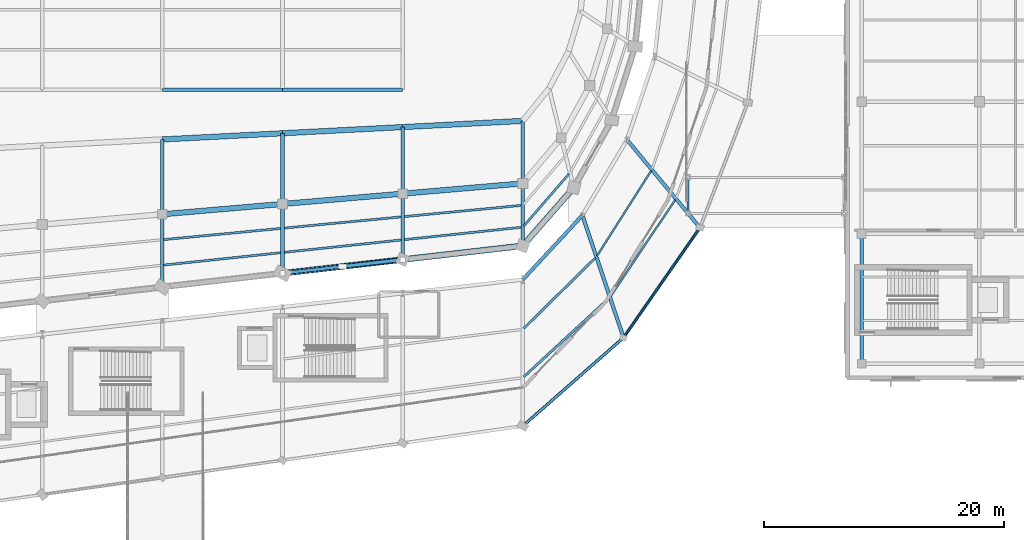
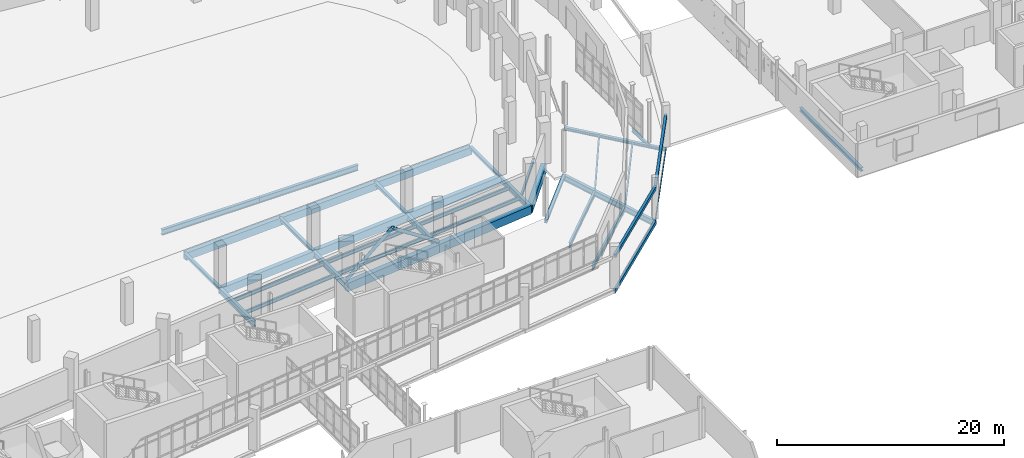
# One storey, part 67 of 122: 39 beams, 2 members.
"""IFC4 building model written with IfcOpenShell, lengths in metres."""

from ifc_helpers import new_model, si_unit, direction, frame, origin, origin_2d, place, context, subcontext, project, spatial, rectangle, hollow_rectangle, hollow_circle, i_section, extrude, material, material_profile, profile_set, type_object, element, save


model = new_model("IFC4")

# Units and contexts
model_context = context("Model", 3, precision=1e-05, world=origin(), true_north=direction((0.0, 1.0)))
body_context = subcontext(model_context, "Body", "Model", "MODEL_VIEW")
ifc_project = project(units=[si_unit("LENGTHUNIT", "METRE"), si_unit("AREAUNIT", "SQUARE_METRE"), si_unit("VOLUMEUNIT", "CUBIC_METRE"), si_unit("PLANEANGLEUNIT", "RADIAN"), si_unit("MASSUNIT", "GRAM", prefix="KILO")], contexts=[model_context])

# Site, building, storey
site_placement = place(None, origin())
site = spatial("IfcSite", under=ifc_project, at=site_placement, CompositionType="ELEMENT")
building_placement = place(site_placement, origin())
building = spatial("IfcBuilding", under=site, at=building_placement, Name="Sohan Crest Arena", CompositionType="ELEMENT")
storey_placement = place(building_placement, origin())
storey = spatial("IfcBuildingStorey", under=building, at=storey_placement, Name="L00", CompositionType="ELEMENT", Elevation=0.0)

# Beams
ifc_material_1 = material(Name="Steel S355", Category="steel")
ifc_material_profile_1 = material_profile(ifc_material_1, i_section(OverallWidth=0.14990234375, OverallDepth=0.300048828125, WebThickness=0.007080078125, FlangeThickness=0.0107421875, at=origin_2d()), Name="IPE 300")
ifc_profile_set_1 = profile_set([ifc_material_profile_1], Name="Steel S355")
beam_type_1 = type_object("IfcBeamType", Name="STR-BM-B01", PredefinedType="JOIST", material=ifc_profile_set_1)
beam_1_placement = place(storey_placement, frame((174.18310546875, 54.175048828125, -0.425048828125), z_axis=(0.536679400997, 0.843786241027, 0.0), x_axis=(-0.843786241027, 0.536679400997, 0.0)))
element("IfcBeam", 1, at=beam_1_placement, inside=storey, type_object=beam_type_1, Name="Structural beam J-L00-1012", PredefinedType="JOIST", context=body_context, shape_type="SweptSolid", body=[
    extrude(i_section(OverallWidth=0.14990234375, OverallDepth=0.300048828125, WebThickness=0.007080078125, FlangeThickness=0.0107421875, at=origin_2d()), origin(), (0.0, 0.0, 1.0), 8.37890625),
])
beam_2_placement = place(storey_placement, frame((175.31494140625, 50.80908203125, -0.425048828125), z_axis=(0.556006645923, 0.831177844802, 0.0), x_axis=(-0.831177844802, 0.556006645923, 0.0)))
element("IfcBeam", 2, at=beam_2_placement, inside=storey, type_object=beam_type_1, Name="Structural beam J-L00-1013", PredefinedType="JOIST", context=body_context, shape_type="SweptSolid", body=[
    extrude(i_section(OverallWidth=0.14990234375, OverallDepth=0.300048828125, WebThickness=0.007080078125, FlangeThickness=0.0107421875, at=origin_2d()), origin(), (0.0, 0.0, 1.0), 9.65478515625),
])
ifc_material_profile_2 = material_profile(ifc_material_1, i_section(OverallWidth=0.169921875, OverallDepth=0.360107421875, WebThickness=0.008056640625, FlangeThickness=0.0126953125, at=origin_2d()), Name="IPE 360")
ifc_profile_set_2 = profile_set([ifc_material_profile_2], Name="Steel S355")
beam_type_2 = type_object("IfcBeamType", Name="STR-BM-B02", PredefinedType="JOIST", material=ifc_profile_set_2)
beam_3_placement = place(storey_placement, frame((181.75, 57.699951171875, -0.455078125), z_axis=(0.0, 1.0, 0.0), x_axis=(-1.0, 0.0, 0.0)))
element("IfcBeam", 3, at=beam_3_placement, inside=storey, type_object=beam_type_2, Name="Structural beam BG-L00-2960", PredefinedType="JOIST", context=body_context, shape_type="SweptSolid", body=[
    extrude(i_section(OverallWidth=0.169921875, OverallDepth=0.360107421875, WebThickness=0.008056640625, FlangeThickness=0.0126953125, at=origin_2d()), origin(), (0.0, 0.0, 1.0), 3.0),
])
ifc_material_profile_3 = material_profile(ifc_material_1, i_section(OverallWidth=0.179931640625, OverallDepth=0.39990234375, WebThickness=0.008544921875, FlangeThickness=0.013427734375, at=origin_2d()), Name="IPE 400")
ifc_profile_set_3 = profile_set([ifc_material_profile_3], Name="Steel S355")
beam_type_3 = type_object("IfcBeamType", Name="STR-BM-B03", PredefinedType="JOIST", material=ifc_profile_set_3)
beam_4_placement = place(storey_placement, frame((138.10888671875, 55.51904296875, -0.449951171875), z_axis=(0.995443739336, 0.095350730547, 0.0), x_axis=(-0.095350730547, 0.995443739336, 0.0)))
element("IfcBeam", 4, at=beam_4_placement, inside=storey, type_object=beam_type_3, Name="Structural beam J-L00-0414", PredefinedType="JOIST", context=body_context, shape_type="SweptSolid", body=[
    extrude(i_section(OverallWidth=0.179931640625, OverallDepth=0.39990234375, WebThickness=0.008544921875, FlangeThickness=0.013427734375, at=origin_2d()), origin(), (0.0, 0.0, 1.0), 9.826904296875),
])
beam_5_placement = place(storey_placement, frame((138.10888671875, 53.39990234375, -0.449951171875), z_axis=(0.994458024707, 0.105134376377, 0.0), x_axis=(-0.105134376377, 0.994458024707, 0.0)))
element("IfcBeam", 5, at=beam_5_placement, inside=storey, type_object=beam_type_3, Name="Structural beam J-L00-0415", PredefinedType="JOIST", context=body_context, shape_type="SweptSolid", body=[
    extrude(i_section(OverallWidth=0.179931640625, OverallDepth=0.39990234375, WebThickness=0.008544921875, FlangeThickness=0.013427734375, at=origin_2d()), origin(), (0.0, 0.0, 1.0), 9.836669921875),
])
beam_6_placement = place(storey_placement, frame((148.10888671875, 56.47607421875, -0.449951171875), z_axis=(0.995443739336, 0.095350730547, 0.0), x_axis=(-0.095350730547, 0.995443739336, 0.0)))
element("IfcBeam", 6, at=beam_6_placement, inside=storey, type_object=beam_type_3, Name="Structural beam J-L00-0436", PredefinedType="JOIST", context=body_context, shape_type="SweptSolid", body=[
    extrude(i_section(OverallWidth=0.179931640625, OverallDepth=0.39990234375, WebThickness=0.008544921875, FlangeThickness=0.013427734375, at=origin_2d()), origin(), (0.0, 0.0, 1.0), 9.826904296875),
])
beam_7_placement = place(storey_placement, frame((148.10888671875, 54.4580078125, -0.449951171875), z_axis=(0.994470991784, 0.105011649352, 0.0), x_axis=(-0.105011649352, 0.994470991784, 0.0)))
element("IfcBeam", 7, at=beam_7_placement, inside=storey, type_object=beam_type_3, Name="Structural beam J-L00-0437", PredefinedType="JOIST", context=body_context, shape_type="SweptSolid", body=[
    extrude(i_section(OverallWidth=0.179931640625, OverallDepth=0.39990234375, WebThickness=0.008544921875, FlangeThickness=0.013427734375, at=origin_2d()), origin(), (0.0, 0.0, 1.0), 9.836669921875),
])
beam_8_placement = place(storey_placement, frame((158.10888671875, 57.43310546875, -0.449951171875), z_axis=(0.995443739336, 0.095350730547, 0.0), x_axis=(-0.095350730547, 0.995443739336, 0.0)))
element("IfcBeam", 8, at=beam_8_placement, inside=storey, type_object=beam_type_3, Name="Structural beam J-L00-0458", PredefinedType="JOIST", context=body_context, shape_type="SweptSolid", body=[
    extrude(i_section(OverallWidth=0.179931640625, OverallDepth=0.39990234375, WebThickness=0.008544921875, FlangeThickness=0.013427734375, at=origin_2d()), origin(), (0.0, 0.0, 1.0), 9.826904296875),
])
beam_9_placement = place(storey_placement, frame((158.10888671875, 55.514892578125, -0.449951171875), z_axis=(0.994468399553, 0.105036195141, 0.0), x_axis=(-0.105036195141, 0.994468399553, 0.0)))
element("IfcBeam", 9, at=beam_9_placement, inside=storey, type_object=beam_type_3, Name="Structural beam J-L00-0459", PredefinedType="JOIST", context=body_context, shape_type="SweptSolid", body=[
    extrude(i_section(OverallWidth=0.179931640625, OverallDepth=0.39990234375, WebThickness=0.008544921875, FlangeThickness=0.013427734375, at=origin_2d()), origin(), (0.0, 0.0, 1.0), 9.836669921875),
])
beam_10_placement = place(storey_placement, frame((168.072021484375, 56.64306640625, -0.449951171875), z_axis=(0.655191219496, 0.755463080432, 0.0), x_axis=(-0.755463080432, 0.655191219496, 0.0)))
element("IfcBeam", 10, at=beam_10_placement, inside=storey, type_object=beam_type_3, Name="Structural beam J-L00-0481", PredefinedType="JOIST", context=body_context, shape_type="SweptSolid", body=[
    extrude(i_section(OverallWidth=0.179931640625, OverallDepth=0.39990234375, WebThickness=0.008544921875, FlangeThickness=0.013427734375, at=origin_2d()), origin(), (0.0, 0.0, 1.0), 5.775390625),
])
ifc_material_profile_4 = material_profile(ifc_material_1, i_section(OverallWidth=0.199951171875, OverallDepth=0.5, WebThickness=0.01025390625, FlangeThickness=0.01611328125, at=origin_2d()), Name="IPE 500")
ifc_profile_set_4 = profile_set([ifc_material_profile_4], Name="Steel S355")
beam_type_4 = type_object("IfcBeamType", Name="STR-BM-B05", PredefinedType="JOIST", material=ifc_profile_set_4)
beam_11_placement = place(storey_placement, frame((168.077880859375, 48.12890625, -0.52490234375), z_axis=(0.712580271708, 0.701590590283, 0.0), x_axis=(-0.701590590283, 0.712580271708, 0.0)))
element("IfcBeam", 11, at=beam_11_placement, inside=storey, type_object=beam_type_4, Name="Structural beam J-L00-1006", PredefinedType="JOIST", context=body_context, shape_type="SweptSolid", body=[
    extrude(i_section(OverallWidth=0.199951171875, OverallDepth=0.5, WebThickness=0.01025390625, FlangeThickness=0.01611328125, at=origin_2d()), origin(), (0.0, 0.0, 1.0), 8.375244140625),
])
beam_12_placement = place(storey_placement, frame((168.0810546875, 44.10107421875, -0.52490234375), z_axis=(0.735036224245, 0.678027837959, 0.0), x_axis=(-0.678027837959, 0.735036224245, 0.0)))
element("IfcBeam", 12, at=beam_12_placement, inside=storey, type_object=beam_type_4, Name="Structural beam J-L00-1007", PredefinedType="JOIST", context=body_context, shape_type="SweptSolid", body=[
    extrude(i_section(OverallWidth=0.199951171875, OverallDepth=0.5, WebThickness=0.01025390625, FlangeThickness=0.01611328125, at=origin_2d()), origin(), (0.0, 0.0, 1.0), 9.648681640625),
])
ifc_material_profile_5 = material_profile(ifc_material_1, i_section(OverallWidth=0.300048828125, OverallDepth=0.389892578125, WebThickness=0.010986328125, FlangeThickness=0.01904296875, at=origin_2d()), Name="HEA 400")
ifc_profile_set_5 = profile_set([ifc_material_profile_5], Name="Steel S355")
beam_type_5 = type_object("IfcBeamType", Name="STR-BM-B09", PredefinedType="BEAM", material=ifc_profile_set_5)
beam_13_placement = place(storey_placement, frame((196.199951171875, 45.199951171875, -0.425048828125), z_axis=(0.0, 1.0, 0.0), x_axis=(-1.0, 0.0, 0.0)))
element("IfcBeam", 13, at=beam_13_placement, inside=storey, type_object=beam_type_5, Name="Structural beam G-L00-2183", PredefinedType="BEAM", context=body_context, shape_type="SweptSolid", body=[
    extrude(i_section(OverallWidth=0.300048828125, OverallDepth=0.389892578125, WebThickness=0.010986328125, FlangeThickness=0.01904296875, at=origin_2d()), origin(), (0.0, 0.0, 1.0), 10.800048828125),
])
ifc_material_profile_6 = material_profile(ifc_material_1, i_section(OverallWidth=0.300048828125, OverallDepth=0.590087890625, WebThickness=0.012939453125, FlangeThickness=0.02490234375, at=origin_2d()), Name="HEA 600")
ifc_profile_set_6 = profile_set([ifc_material_profile_6], Name="Steel S355")
beam_type_6 = type_object("IfcBeamType", Name="STR-BM-B11", PredefinedType="BEAM", material=ifc_profile_set_6)
beam_14_placement = place(storey_placement, frame((138.0, 57.62890625, -0.544921875), z_axis=(0.0, -1.0, 0.0), x_axis=(1.0, 0.0, 0.0)))
element("IfcBeam", 14, at=beam_14_placement, inside=storey, type_object=beam_type_6, Name="Structural beam G-L00-0413", PredefinedType="BEAM", context=body_context, shape_type="SweptSolid", body=[
    extrude(i_section(OverallWidth=0.300048828125, OverallDepth=0.590087890625, WebThickness=0.012939453125, FlangeThickness=0.02490234375, at=origin_2d()), origin(), (0.0, 0.0, 1.0), 6.057861328125),
])
beam_15_placement = place(storey_placement, frame((148.0, 58.486083984375, -0.544921875), z_axis=(0.0, -1.0, 0.0), x_axis=(1.0, 0.0, 0.0)))
element("IfcBeam", 15, at=beam_15_placement, inside=storey, type_object=beam_type_6, Name="Structural beam G-L00-0435", PredefinedType="BEAM", context=body_context, shape_type="SweptSolid", body=[
    extrude(i_section(OverallWidth=0.300048828125, OverallDepth=0.590087890625, WebThickness=0.012939453125, FlangeThickness=0.02490234375, at=origin_2d()), origin(), (0.0, 0.0, 1.0), 5.77197265625),
])
beam_16_placement = place(storey_placement, frame((158.0, 59.343017578125, -0.544921875), z_axis=(0.0, -1.0, 0.0), x_axis=(1.0, 0.0, 0.0)))
element("IfcBeam", 16, at=beam_16_placement, inside=storey, type_object=beam_type_6, Name="Structural beam G-L00-0457", PredefinedType="BEAM", context=body_context, shape_type="SweptSolid", body=[
    extrude(i_section(OverallWidth=0.300048828125, OverallDepth=0.590087890625, WebThickness=0.012939453125, FlangeThickness=0.02490234375, at=origin_2d()), origin(), (0.0, 0.0, 1.0), 5.486083984375),
])
beam_17_placement = place(storey_placement, frame((168.0, 60.199951171875, -0.544921875), z_axis=(0.0, -1.0, 0.0), x_axis=(1.0, 0.0, 0.0)))
element("IfcBeam", 17, at=beam_17_placement, inside=storey, type_object=beam_type_6, Name="Structural beam G-L00-0479", PredefinedType="BEAM", context=body_context, shape_type="SweptSolid", body=[
    extrude(i_section(OverallWidth=0.300048828125, OverallDepth=0.590087890625, WebThickness=0.012939453125, FlangeThickness=0.02490234375, at=origin_2d()), origin(), (0.0, 0.0, 1.0), 5.199951171875),
])
beam_18_placement = place(storey_placement, frame((172.9609375, 57.547119140625, -0.570068359375), z_axis=(0.318297981778, -0.947990714509, 0.0), x_axis=(0.947990714509, 0.318297981778, 0.0)))
element("IfcBeam", 18, at=beam_18_placement, inside=storey, type_object=beam_type_6, Name="Structural beam G-L00-1008", PredefinedType="BEAM", context=body_context, shape_type="SweptSolid", body=[
    extrude(i_section(OverallWidth=0.300048828125, OverallDepth=0.590087890625, WebThickness=0.012939453125, FlangeThickness=0.02490234375, at=origin_2d()), origin(), (0.0, 0.0, 1.0), 10.751220703125),
])
ifc_material_profile_7 = material_profile(ifc_material_1, i_section(OverallWidth=0.300048828125, OverallDepth=0.300048828125, WebThickness=0.010986328125, FlangeThickness=0.01904296875, at=origin_2d()), Name="HEB 300")
ifc_profile_set_7 = profile_set([ifc_material_profile_7], Name="Steel S355")
beam_type_7 = type_object("IfcBeamType", Name="STR-BM-B12", PredefinedType="BEAM", material=ifc_profile_set_7)
beam_19_placement = place(storey_placement, frame((138.0, 63.85693359375, -0.39990234375), z_axis=(0.0, -1.0, 0.0), x_axis=(1.0, 0.0, 0.0)))
element("IfcBeam", 19, at=beam_19_placement, inside=storey, type_object=beam_type_7, Name="Structural beam G-L00-0410", PredefinedType="BEAM", context=body_context, shape_type="SweptSolid", body=[
    extrude(i_section(OverallWidth=0.300048828125, OverallDepth=0.300048828125, WebThickness=0.010986328125, FlangeThickness=0.01904296875, at=origin_2d()), origin(), (0.0, 0.0, 1.0), 6.22802734375),
])
beam_20_placement = place(storey_placement, frame((148.0, 64.37109375, -0.39990234375), z_axis=(0.0, -1.0, 0.0), x_axis=(1.0, 0.0, 0.0)))
element("IfcBeam", 20, at=beam_20_placement, inside=storey, type_object=beam_type_7, Name="Structural beam G-L00-0432", PredefinedType="BEAM", context=body_context, shape_type="SweptSolid", body=[
    extrude(i_section(OverallWidth=0.300048828125, OverallDepth=0.300048828125, WebThickness=0.010986328125, FlangeThickness=0.01904296875, at=origin_2d()), origin(), (0.0, 0.0, 1.0), 5.885009765625),
])
beam_21_placement = place(storey_placement, frame((158.0, 64.885986328125, -0.39990234375), z_axis=(0.0, -1.0, 0.0), x_axis=(1.0, 0.0, 0.0)))
element("IfcBeam", 21, at=beam_21_placement, inside=storey, type_object=beam_type_7, Name="Structural beam G-L00-0454", PredefinedType="BEAM", context=body_context, shape_type="SweptSolid", body=[
    extrude(i_section(OverallWidth=0.300048828125, OverallDepth=0.300048828125, WebThickness=0.010986328125, FlangeThickness=0.01904296875, at=origin_2d()), origin(), (0.0, 0.0, 1.0), 5.54296875),
])
beam_22_placement = place(storey_placement, frame((168.0, 65.39990234375, -0.39990234375), z_axis=(0.0, -1.0, 0.0), x_axis=(1.0, 0.0, 0.0)))
element("IfcBeam", 22, at=beam_22_placement, inside=storey, type_object=beam_type_7, Name="Structural beam G-L00-0476", PredefinedType="BEAM", context=body_context, shape_type="SweptSolid", body=[
    extrude(i_section(OverallWidth=0.300048828125, OverallDepth=0.300048828125, WebThickness=0.010986328125, FlangeThickness=0.01904296875, at=origin_2d()), origin(), (0.0, 0.0, 1.0), 5.199951171875),
])
beam_23_placement = place(storey_placement, frame((168.0, 52.199951171875, -0.425048828125), z_axis=(0.680135214567, 0.733086686488, 0.0), x_axis=(-0.733086686488, 0.680135214567, 0.0)))
element("IfcBeam", 23, at=beam_23_placement, inside=storey, type_object=beam_type_7, Name="Structural beam G-L00-1003", PredefinedType="BEAM", context=body_context, shape_type="SweptSolid", body=[
    extrude(i_section(OverallWidth=0.300048828125, OverallDepth=0.300048828125, WebThickness=0.010986328125, FlangeThickness=0.01904296875, at=origin_2d()), origin(), (0.0, 0.0, 1.0), 7.2939453125),
])
beam_24_placement = place(storey_placement, frame((176.674072265625, 63.824951171875, -0.425048828125), z_axis=(0.638940924568, -0.7692558059, 0.0), x_axis=(0.7692558059, 0.638940924568, 0.0)))
element("IfcBeam", 24, at=beam_24_placement, inside=storey, type_object=beam_type_7, Name="Structural beam G-L00-1014", PredefinedType="BEAM", context=body_context, shape_type="SweptSolid", body=[
    extrude(i_section(OverallWidth=0.300048828125, OverallDepth=0.300048828125, WebThickness=0.010986328125, FlangeThickness=0.01904296875, at=origin_2d()), origin(), (0.0, 0.0, 1.0), 9.5078125),
])
ifc_material_profile_8 = material_profile(ifc_material_1, i_section(OverallWidth=0.300048828125, OverallDepth=0.60009765625, WebThickness=0.015380859375, FlangeThickness=0.030029296875, at=origin_2d()), Name="HEB 600")
ifc_profile_set_8 = profile_set([ifc_material_profile_8], Name="Steel S355")
beam_type_8 = type_object("IfcBeamType", Name="STR-BM-B15", PredefinedType="BEAM", material=ifc_profile_set_8)
for number, where, z_axis, x_axis, name in (
    (25, (138.0, 68.0, -0.60009765625), (1.0, 0.0, 0.0), (0.0, 1.0, 0.0), "Structural beam G-L00-0019"),
    (26, (148.0, 68.0, -0.60009765625), (1.0, 0.0, 0.0), (0.0, 1.0, 0.0), "Structural beam G-L00-0020"),
):
    element("IfcBeam", number, at=place(storey_placement, frame(where, z_axis=z_axis, x_axis=x_axis)), inside=storey, type_object=beam_type_8, Name=name, PredefinedType="BEAM", context=body_context, shape_type="SweptSolid", body=[
        extrude(i_section(OverallWidth=0.300048828125, OverallDepth=0.60009765625, WebThickness=0.015380859375, FlangeThickness=0.030029296875, at=origin_2d()), origin(), (0.0, 0.0, 1.0), 10.0),
    ])
ifc_material_profile_9 = material_profile(ifc_material_1, hollow_rectangle(XDim=0.10009765625, YDim=0.199951171875, WallThickness=0.008056640625, at=origin_2d()), Name="RHS 200x100x8")
ifc_profile_set_9 = profile_set([ifc_material_profile_9], Name="Steel S355")
beam_type_9 = type_object("IfcBeamType", Name="STR-BM-SP01", PredefinedType="SPANDREL", material=ifc_profile_set_9)
beam_25_placement = place(storey_placement, frame((176.383056640625, 47.35498046875, -0.375), z_axis=(0.570857282329, 0.8210493062, 0.0), x_axis=(-0.8210493062, 0.570857282329, 0.0)))
element("IfcBeam", 27, at=beam_25_placement, inside=storey, type_object=beam_type_9, Name="Structural beam SP-L00-1010", PredefinedType="SPANDREL", context=body_context, shape_type="SweptSolid", body=[
    extrude(hollow_rectangle(XDim=0.10009765625, YDim=0.199951171875, WallThickness=0.008056640625, at=origin_2d()), origin(), (0.0, 0.0, 1.0), 11.151611328125),
])
ifc_material_profile_10 = material_profile(ifc_material_1, hollow_rectangle(XDim=0.25, YDim=0.35009765625, WallThickness=0.012451171875, at=origin_2d()), Name="RHS 350x250x12.5")
ifc_profile_set_10 = profile_set([ifc_material_profile_10], Name="Steel S355")
beam_type_10 = type_object("IfcBeamType", Name="STR-BM-SP04", PredefinedType="SPANDREL", material=ifc_profile_set_10)
beam_26_placement = place(storey_placement, frame((168.0, 40.0, 3.300048828125), z_axis=(0.751695897988, 0.659509876308, 0.0), x_axis=(-0.659509876308, 0.751695897988, 0.0)))
element("IfcBeam", 28, at=beam_26_placement, inside=storey, type_object=beam_type_10, Name="Structural beam ARC-L00-1005", PredefinedType="SPANDREL", context=body_context, shape_type="SweptSolid", body=[
    extrude(hollow_rectangle(XDim=0.25, YDim=0.35009765625, WallThickness=0.012451171875, at=origin_2d()), origin(), (0.0, 0.0, 1.0), 11.152099609375),
])
beam_27_placement = place(storey_placement, frame((176.383056640625, 47.35498046875, 3.300048828125), z_axis=(0.570857282329, 0.8210493062, 0.0), x_axis=(-0.8210493062, 0.570857282329, 0.0)))
element("IfcBeam", 29, at=beam_27_placement, inside=storey, type_object=beam_type_10, Name="Structural beam ARC-L00-1011", PredefinedType="SPANDREL", context=body_context, shape_type="SweptSolid", body=[
    extrude(hollow_rectangle(XDim=0.25, YDim=0.35009765625, WallThickness=0.012451171875, at=origin_2d()), origin(), (0.0, 0.0, 1.0), 11.151611328125),
])
ifc_material_profile_11 = material_profile(ifc_material_1, hollow_rectangle(XDim=0.199951171875, YDim=0.39990234375, WallThickness=0.012451171875, at=origin_2d()), Name="RHS 400x200x12.5")
ifc_profile_set_11 = profile_set([ifc_material_profile_11], Name="Steel S355")
beam_type_11 = type_object("IfcBeamType", Name="STR-BM-SP05", PredefinedType="SPANDREL", material=ifc_profile_set_11)
beam_28_placement = place(storey_placement, frame((168.0, 40.0, -0.47509765625), z_axis=(0.751695897988, 0.659509876308, 0.0), x_axis=(-0.659509876308, 0.751695897988, 0.0)))
element("IfcBeam", 30, at=beam_28_placement, inside=storey, type_object=beam_type_11, Name="Structural beam SP-L00-1004", PredefinedType="SPANDREL", context=body_context, shape_type="SweptSolid", body=[
    extrude(hollow_rectangle(XDim=0.199951171875, YDim=0.39990234375, WallThickness=0.012451171875, at=origin_2d()), origin(), (0.0, 0.0, 1.0), 11.152099609375),
])
ifc_material_2 = material(Name="Concrete C40/50", Category="concrete")
ifc_material_profile_12 = material_profile(ifc_material_2, rectangle(XDim=0.449951171875, YDim=0.800048828125, at=origin_2d()), Name="RC-BM 450x800")
ifc_profile_set_12 = profile_set([ifc_material_profile_12], Name="Concrete C40/50")
beam_type_12 = type_object("IfcBeamType", Name="STR-BM-TB02", PredefinedType="BEAM", material=ifc_profile_set_12)
beam_29_placement = place(storey_placement, frame((138.0, 63.85693359375, -0.64990234375), z_axis=(0.998680811655, 0.051348188216, 0.0), x_axis=(-0.051348188216, 0.998680811655, 0.0)))
element("IfcBeam", 31, at=beam_29_placement, inside=storey, type_object=beam_type_12, Name="Structural beam TB-L00-0409", PredefinedType="BEAM", context=body_context, shape_type="SweptSolid", body=[
    extrude(rectangle(XDim=0.449951171875, YDim=0.800048828125, at=origin_2d()), origin(), (0.0, 0.0, 1.0), 10.01318359375),
])
beam_30_placement = place(storey_placement, frame((138.0, 57.62890625, -0.64990234375), z_axis=(0.996346353353, 0.085404590982, 0.0), x_axis=(-0.085404590982, 0.996346353353, 0.0)))
element("IfcBeam", 32, at=beam_30_placement, inside=storey, type_object=beam_type_12, Name="Structural beam TB-L00-0411", PredefinedType="BEAM", context=body_context, shape_type="SweptSolid", body=[
    extrude(rectangle(XDim=0.449951171875, YDim=0.800048828125, at=origin_2d()), origin(), (0.0, 0.0, 1.0), 10.03662109375),
])
beam_31_placement = place(storey_placement, frame((148.0, 64.37109375, -0.64990234375), z_axis=(0.998677058066, 0.051421140514, 0.0), x_axis=(-0.051421140514, 0.998677058066, 0.0)))
element("IfcBeam", 33, at=beam_31_placement, inside=storey, type_object=beam_type_12, Name="Structural beam TB-L00-0431", PredefinedType="BEAM", context=body_context, shape_type="SweptSolid", body=[
    extrude(rectangle(XDim=0.449951171875, YDim=0.800048828125, at=origin_2d()), origin(), (0.0, 0.0, 1.0), 10.01318359375),
])
beam_32_placement = place(storey_placement, frame((148.0, 58.486083984375, -0.64990234375), z_axis=(0.996348422929, 0.085380443469, 0.0), x_axis=(-0.085380443469, 0.996348422929, 0.0)))
element("IfcBeam", 34, at=beam_32_placement, inside=storey, type_object=beam_type_12, Name="Structural beam TB-L00-0433", PredefinedType="BEAM", context=body_context, shape_type="SweptSolid", body=[
    extrude(rectangle(XDim=0.449951171875, YDim=0.800048828125, at=origin_2d()), origin(), (0.0, 0.0, 1.0), 10.03662109375),
])
beam_33_placement = place(storey_placement, frame((158.0, 64.885986328125, -0.64990234375), z_axis=(0.998682061673, 0.051323870601, 0.0), x_axis=(-0.051323870601, 0.998682061673, 0.0)))
element("IfcBeam", 35, at=beam_33_placement, inside=storey, type_object=beam_type_12, Name="Structural beam TB-L00-0453", PredefinedType="BEAM", context=body_context, shape_type="SweptSolid", body=[
    extrude(rectangle(XDim=0.449951171875, YDim=0.800048828125, at=origin_2d()), origin(), (0.0, 0.0, 1.0), 10.01318359375),
])
beam_34_placement = place(storey_placement, frame((158.0, 59.343017578125, -0.64990234375), z_axis=(0.996348422929, 0.085380443469, 0.0), x_axis=(-0.085380443469, 0.996348422929, 0.0)))
element("IfcBeam", 36, at=beam_34_placement, inside=storey, type_object=beam_type_12, Name="Structural beam TB-L00-0455", PredefinedType="BEAM", context=body_context, shape_type="SweptSolid", body=[
    extrude(rectangle(XDim=0.449951171875, YDim=0.800048828125, at=origin_2d()), origin(), (0.0, 0.0, 1.0), 10.03662109375),
])
ifc_material_profile_13 = material_profile(ifc_material_2, rectangle(XDim=0.5, YDim=0.89990234375, at=origin_2d()), Name="RC-BM 500x900")
ifc_profile_set_13 = profile_set([ifc_material_profile_13], Name="Concrete C40/50")
beam_type_13 = type_object("IfcBeamType", Name="STR-BM-TB03", PredefinedType="BEAM", material=ifc_profile_set_13)
for number, where, z_axis, x_axis, name in (
    (37, (148.0, 52.714111328125, -0.699951171875), (0.993533063564, 0.113543170668, 0.0), (-0.113543170668, 0.993533063564, 0.0), "Structural beam TB-L00-0434"),
    (38, (158.0, 53.85693359375, -0.699951171875), (0.99353032697, 0.113567114035, 0.0), (-0.113567114035, 0.99353032697, 0.0), "Structural beam TB-L00-0456"),
):
    element("IfcBeam", number, at=place(storey_placement, frame(where, z_axis=z_axis, x_axis=x_axis)), inside=storey, type_object=beam_type_13, Name=name, PredefinedType="BEAM", context=body_context, shape_type="SweptSolid", body=[
        extrude(rectangle(XDim=0.5, YDim=0.89990234375, at=origin_2d()), origin(), (0.0, 0.0, 1.0), 10.065185546875),
    ])
beam_35_placement = place(storey_placement, frame((168.0, 55.0, -0.699951171875), z_axis=(0.658743407002, 0.752367678553, 0.0), x_axis=(-0.752367678553, 0.658743407002, 0.0)))
element("IfcBeam", 39, at=beam_35_placement, inside=storey, type_object=beam_type_13, Name="Structural beam TB-L00-0478", PredefinedType="BEAM", context=body_context, shape_type="SweptSolid", body=[
    extrude(rectangle(XDim=0.5, YDim=0.89990234375, at=origin_2d()), origin(), (0.0, 0.0, 1.0), 6.44091796875),
])

# Members
ifc_material_profile_14 = material_profile(ifc_material_1, hollow_circle(Radius=0.161865234375, WallThickness=0.012451171875, at=origin_2d()), Name="CHS 323.9x12.5")
ifc_profile_set_14 = profile_set([ifc_material_profile_14], Name="Steel S355")
member_type_1 = type_object("IfcMemberType", Name="STR-MEM-BR03", PredefinedType="BRACE", material=ifc_profile_set_14)
member_1_placement = place(storey_placement, frame((148.0, 52.714111328125, 0.0), z_axis=(0.815672477088, 0.093117297433, 0.570970733961), x_axis=(-0.113423450863, 0.993546738103, 0.0)))
element("IfcMember", 40, at=member_1_placement, inside=storey, type_object=member_type_1, Name="Concentric lateral chevron brace BR-017", PredefinedType="BRACE", context=body_context, shape_type="SweptSolid", body=[
    extrude(hollow_circle(Radius=0.161865234375, WallThickness=0.012451171875, at=origin_2d()), origin(), (0.0, 0.0, 1.0), 6.1298828125),
])
ifc_material_profile_15 = material_profile(ifc_material_1, hollow_circle(Radius=0.177734375, WallThickness=0.01611328125, at=origin_2d()), Name="CHS 355.6x16")
ifc_profile_set_15 = profile_set([ifc_material_profile_15], Name="Steel S355")
member_type_2 = type_object("IfcMemberType", Name="STR-MEM-BR04", PredefinedType="BRACE", material=ifc_profile_set_15)
member_2_placement = place(storey_placement, frame((158.0, 53.85693359375, 0.0), z_axis=(-0.815657336104, -0.093314704028, 0.570960135273), x_axis=(0.113662885526, -0.993519374977, 0.0)))
element("IfcMember", 41, at=member_2_placement, inside=storey, type_object=member_type_2, Name="Concentric lateral chevron brace BR-018", PredefinedType="BRACE", context=body_context, shape_type="SweptSolid", body=[
    extrude(hollow_circle(Radius=0.177734375, WallThickness=0.01611328125, at=origin_2d()), origin(), (0.0, 0.0, 1.0), 6.130126953125),
])

save(model, "model.ifc")
